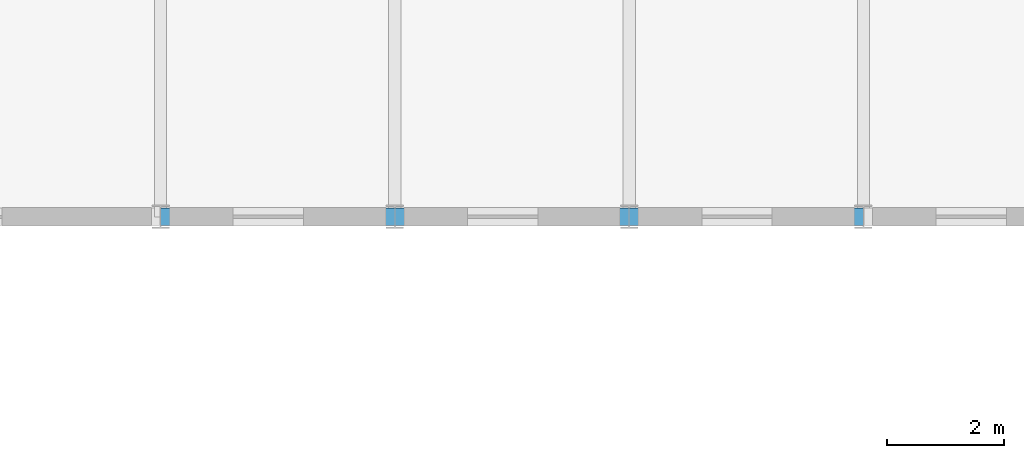
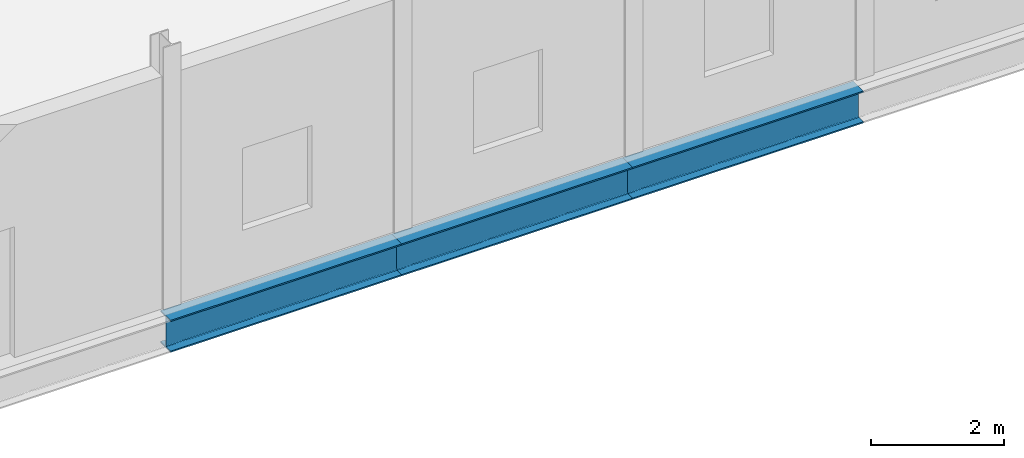
# One storey, part 41 of 101: 3 beams.
"""IFC4 building model written with IfcOpenShell, lengths in metres."""

import ifcopenshell
import ifcopenshell.guid

model = None  # the IFC model being written
_history = None  # IfcOwnerHistory: only IFC2X3 demands one
_inside = {}  # id of a spatial element -> (the spatial element, [elements in it])
_under = {}  # id of a project, library or spatial element -> (it, [spatial elements below it])
_declared = {}  # id of a project -> (the project, [libraries it declares])
_typed = {}  # id of a type object -> (the type object, [elements of that type])
_made_of = {}  # id of a material, layer set ... -> (it, [elements and type objects made of it])


def new_model(schema):
    """Start an empty IFC model of exactly this schema.

    Asked for "IFC4X3", IfcOpenShell would pick the latest addendum, in which some entities
    have other attributes; the version numbers below select the first issue.
    IFC2X3 requires an IfcOwnerHistory on every rooted entity: one is made here for all.
    """
    global model, _history
    if schema == "IFC4X3":
        model = ifcopenshell.file(schema_version=(4, 3, 0, 0))
    else:
        model = ifcopenshell.file(schema=schema)
    _inside.clear()
    _under.clear()
    _declared.clear()
    _typed.clear()
    _made_of.clear()
    _history = None
    if model.schema == "IFC2X3":
        org = make("IfcOrganization", Name="unknown")
        user = make(
            "IfcPersonAndOrganization",
            ThePerson=make("IfcPerson", FamilyName="unknown"),
            TheOrganization=org,
        )
        app = make(
            "IfcApplication",
            ApplicationDeveloper=org,
            Version="unknown",
            ApplicationFullName="unknown",
            ApplicationIdentifier="unknown",
        )
        _history = make(
            "IfcOwnerHistory",
            OwningUser=user,
            OwningApplication=app,
            ChangeAction="ADDED",
            CreationDate=0,
        )
    return model


def make(cls, **values):
    """One entity of the class cls with the attributes given. An attribute that is None is left unset."""
    return model.create_entity(
        cls, **{name: value for name, value in values.items() if value is not None}
    )


def rooted(cls, **values):
    """An entity with a GlobalId (a new one), such as an element, a storey or a relation."""
    return make(cls, GlobalId=ifcopenshell.guid.new(), OwnerHistory=_history, **values)


def si_unit(unit_type, name, prefix=None):
    """IfcSIUnit, for example si_unit("LENGTHUNIT", "METRE", prefix="MILLI")."""
    return make("IfcSIUnit", UnitType=unit_type, Prefix=prefix, Name=name)


def derived_unit(unit_type, elements):
    """IfcDerivedUnit: a product of units, each with its exponent."""
    return make(
        "IfcDerivedUnit",
        Elements=[
            make("IfcDerivedUnitElement", Unit=unit, Exponent=power)
            for unit, power in elements
        ],
        UnitType=unit_type,
    )


def assignment(units):
    """IfcUnitAssignment: the units of a project."""
    return None if units is None else make("IfcUnitAssignment", Units=units)


def point(xyz):
    """IfcCartesianPoint."""
    return None if xyz is None else make("IfcCartesianPoint", Coordinates=xyz)


def direction(xyz):
    """IfcDirection."""
    return None if xyz is None else make("IfcDirection", DirectionRatios=xyz)


def frame(location, z_axis=None, x_axis=None):
    """IfcAxis2Placement3D, a coordinate frame: its origin and axes. An axis left out is left unset."""
    return make(
        "IfcAxis2Placement3D",
        Location=point(location),
        Axis=direction(z_axis),
        RefDirection=direction(x_axis),
    )


def frame_2d(location, x_axis=None):
    """IfcAxis2Placement2D, a coordinate frame in the plane: its origin and x axis."""
    return make(
        "IfcAxis2Placement2D", Location=point(location), RefDirection=direction(x_axis)
    )


def origin():
    """The frame at (0, 0, 0) with its axes left unset."""
    return frame((0.0, 0.0, 0.0))


def origin_2d():
    """The frame at (0, 0) in the plane with its x axis left unset."""
    return frame_2d((0.0, 0.0))


def place(relative_to, where):
    """IfcLocalPlacement: puts the frame where relative to a parent placement (None: the world)."""
    return make(
        "IfcLocalPlacement", PlacementRelTo=relative_to, RelativePlacement=where
    )


def context(
    kind, dimensions, precision=None, world=None, true_north=None, identifier=None
):
    """IfcGeometricRepresentationContext, for example the 3D "Model" context."""
    return make(
        "IfcGeometricRepresentationContext",
        ContextIdentifier=identifier,
        ContextType=kind,
        CoordinateSpaceDimension=dimensions,
        Precision=precision,
        WorldCoordinateSystem=world,
        TrueNorth=true_north,
    )


def subcontext(parent, identifier, kind, view, scale=None):
    """IfcGeometricRepresentationSubContext, for example "Body" below "Model"."""
    return make(
        "IfcGeometricRepresentationSubContext",
        ContextIdentifier=identifier,
        ContextType=kind,
        ParentContext=parent,
        TargetScale=scale,
        TargetView=view,
    )


def project(units=None, contexts=None):
    """IfcProject with its units and contexts."""
    return rooted(
        "IfcProject",
        Name="project",
        RepresentationContexts=contexts,
        UnitsInContext=assignment(units),
    )


def spatial(cls, under=None, at=None, **own):
    """A site, building, storey or space (cls), placed at a placement, below another one or the project."""
    s = rooted(cls, ObjectPlacement=at, **own)
    if under is not None:
        _under.setdefault(under.id(), (under, []))[1].append(s)
    return s


def profile(cls, at=None, kind="AREA", **sizes):
    """A parametric profile (cls). Its sizes go by their IFC names, for example OverallWidth=200.0."""
    return make(cls, ProfileType=kind, Position=at, **sizes)


def i_section(**sizes):
    """IfcIShapeProfileDef."""
    return profile("IfcIShapeProfileDef", **sizes)


def extrude(swept, where, along, depth):
    """IfcExtrudedAreaSolid: the profile swept, set in the frame where, extruded along a direction by depth."""
    return make(
        "IfcExtrudedAreaSolid",
        SweptArea=swept,
        Position=where,
        ExtrudedDirection=direction(along),
        Depth=depth,
    )


def shape(context_of_items, identifier, shape_type, items):
    """IfcShapeRepresentation: the items that make up one representation, for example the "Body"."""
    return make(
        "IfcShapeRepresentation",
        ContextOfItems=context_of_items,
        RepresentationIdentifier=identifier,
        RepresentationType=shape_type,
        Items=items,
    )


def material(Name=None, Category=None):
    """IfcMaterial."""
    return make("IfcMaterial", Name=Name, Category=Category)


def material_profile(
    of_material, cross_section, Name=None, Category=None, Priority=None
):
    """IfcMaterialProfile: a cross section and its material."""
    return make(
        "IfcMaterialProfile",
        Name=Name,
        Material=of_material,
        Profile=cross_section,
        Priority=Priority,
        Category=Category,
    )


def profile_set(profiles, Name=None, composite=None):
    """IfcMaterialProfileSet."""
    return make(
        "IfcMaterialProfileSet",
        Name=Name,
        MaterialProfiles=profiles,
        CompositeProfile=composite,
    )


def made_of(thing, what):
    """Note that an element or type object is made of a material, layer set ...; save() writes the relation."""
    if what is not None:
        _made_of.setdefault(what.id(), (what, []))[1].append(thing)
    return thing


def type_object(cls, material=None, **own):
    """A type object (cls), such as IfcWallType, which elements share."""
    return made_of(rooted(cls, **own), material)


def element(
    cls,
    number,
    at=None,
    inside=None,
    cuts=None,
    type_object=None,
    material=None,
    context=None,
    identifier="Body",
    shape_type=None,
    held_by="IfcProductDefinitionShape",
    body=None,
    shapes=None,
    **own,
):
    """One element of the class cls, such as IfcWall. Its Tag is "e" and its number.

    at: its placement. inside: the storey or other place that contains it. cuts: it is an
    opening in that element (IfcRelVoidsElement). A single representation is given by context,
    identifier, shape_type and body (its items); several are given by shapes. held_by: the class
    of the entity that holds the representations. save() writes the other relations.
    """
    e = rooted(cls, Tag="e%d" % number, ObjectPlacement=at, **own)
    if body is not None:
        shapes = [shape(context, identifier, shape_type, body)]
    if shapes is not None:
        e.Representation = make(held_by, Representations=shapes)
    if inside is not None:
        _inside.setdefault(inside.id(), (inside, []))[1].append(e)
    if cuts is not None:
        rooted(
            "IfcRelVoidsElement", RelatingBuildingElement=cuts, RelatedOpeningElement=e
        )
    if type_object is not None:
        _typed.setdefault(type_object.id(), (type_object, []))[1].append(e)
    return made_of(e, material)


def aggregate(whole, parts):
    """IfcRelAggregates: a whole, such as a stair, and the parts it consists of."""
    return rooted("IfcRelAggregates", RelatingObject=whole, RelatedObjects=parts)


def save(model, path):
    """Write the relations noted so far, then the file.

    IfcRelAggregates (storeys below a building ...), IfcRelContainedInSpatialStructure (elements
    in a storey), IfcRelDefinesByType, IfcRelAssociatesMaterial and IfcRelDeclares: one each for
    every whole, place, type object, material and project.
    """
    for whole, parts in _under.values():
        aggregate(whole, parts)
    for where, things in _inside.values():
        rooted(
            "IfcRelContainedInSpatialStructure",
            RelatedElements=things,
            RelatingStructure=where,
        )
    for kind, things in _typed.values():
        rooted("IfcRelDefinesByType", RelatedObjects=things, RelatingType=kind)
    for what, things in _made_of.values():
        rooted("IfcRelAssociatesMaterial", RelatedObjects=things, RelatingMaterial=what)
    for by, libraries in _declared.values():
        rooted("IfcRelDeclares", RelatingContext=by, RelatedDefinitions=libraries)
    model.write(path)


model = new_model("IFC4")

# Units and contexts
model_context = context("Model", 3, precision=1e-05, world=origin(), true_north=direction((0.0, 1.0)))
body_context = subcontext(model_context, "Body", "Model", "MODEL_VIEW")
ifc_project = project(units=[si_unit("LENGTHUNIT", "METRE"), si_unit("AREAUNIT", "SQUARE_METRE"), si_unit("VOLUMEUNIT", "CUBIC_METRE"), si_unit("PLANEANGLEUNIT", "RADIAN"), si_unit("MASSUNIT", "GRAM", prefix="KILO"), derived_unit("THERMALTRANSMITTANCEUNIT", [(si_unit("POWERUNIT", "WATT"), 1), (si_unit("LENGTHUNIT", "METRE"), -2), (si_unit("THERMODYNAMICTEMPERATUREUNIT", "KELVIN"), -1)])], contexts=[model_context])

# Site, building, storey
site_placement = place(None, origin())
site = spatial("IfcSite", under=ifc_project, at=site_placement, CompositionType="ELEMENT")
building_placement = place(site_placement, origin())
building = spatial("IfcBuilding", under=site, at=building_placement, Name="Keldorne Ridge Multi-Sports Centre", CompositionType="ELEMENT")
storey_placement = place(building_placement, origin())
storey = spatial("IfcBuildingStorey", under=building, at=storey_placement, Name="L00", CompositionType="ELEMENT", Elevation=0.0)

# Beams
ifc_material = material(Name="Steel S355", Category="steel")
ifc_material_profile = material_profile(ifc_material, i_section(OverallWidth=0.300048828125, OverallDepth=0.590087890625, WebThickness=0.012939453125, FlangeThickness=0.02490234375, FilletRadius=0.027099609375, at=origin_2d()), Name="HEA 600")
ifc_profile_set = profile_set([ifc_material_profile], Name="Steel S355")
beam_type = type_object("IfcBeamType", Name="BM-B-06", PredefinedType="BEAM", material=ifc_profile_set)
for number, where, z_axis, x_axis, name in (
    (1, (120.0, 66.0, -0.56494140625), (1.0, 0.0, 0.0), (0.0, 1.0, 0.0), "L00 primary beam 3.66"),
    (2, (124.0, 66.0, -0.56494140625), (1.0, 0.0, 0.0), (0.0, 1.0, 0.0), "L00 primary beam 4.66"),
    (3, (128.0, 66.0, -0.56494140625), (1.0, 0.0, 0.0), (0.0, 1.0, 0.0), "L00 primary beam 5.66"),
):
    element("IfcBeam", number, at=place(storey_placement, frame(where, z_axis=z_axis, x_axis=x_axis)), inside=storey, type_object=beam_type, Name=name, PredefinedType="BEAM", context=body_context, shape_type="SweptSolid", body=[
        extrude(i_section(OverallWidth=0.300048828125, OverallDepth=0.590087890625, WebThickness=0.012939453125, FlangeThickness=0.02490234375, FilletRadius=0.027099609375, at=origin_2d()), origin(), (0.0, 0.0, 1.0), 4.0),
    ])

save(model, "model.ifc")
